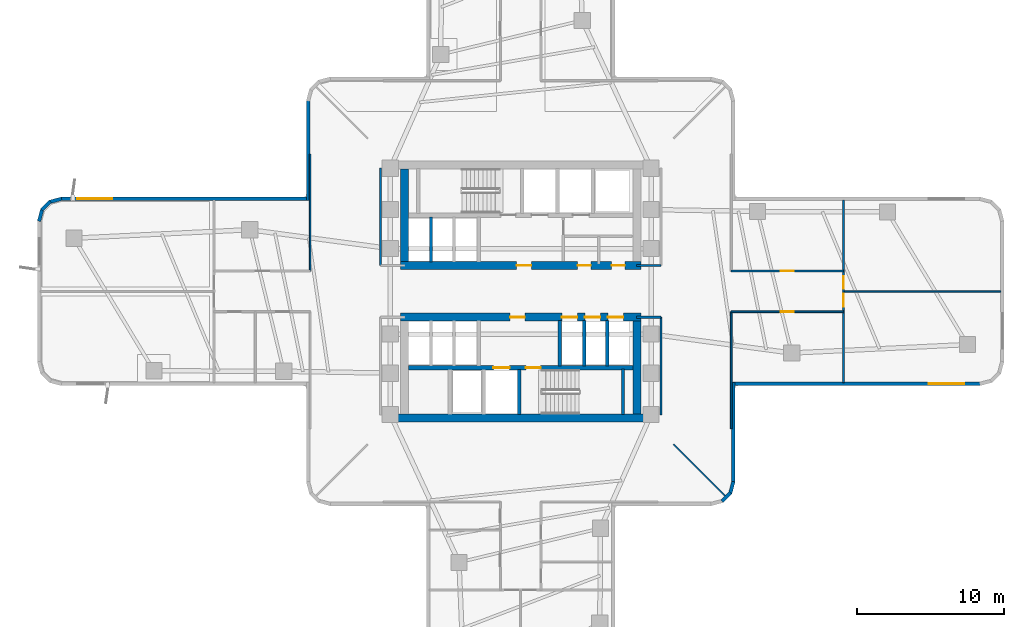
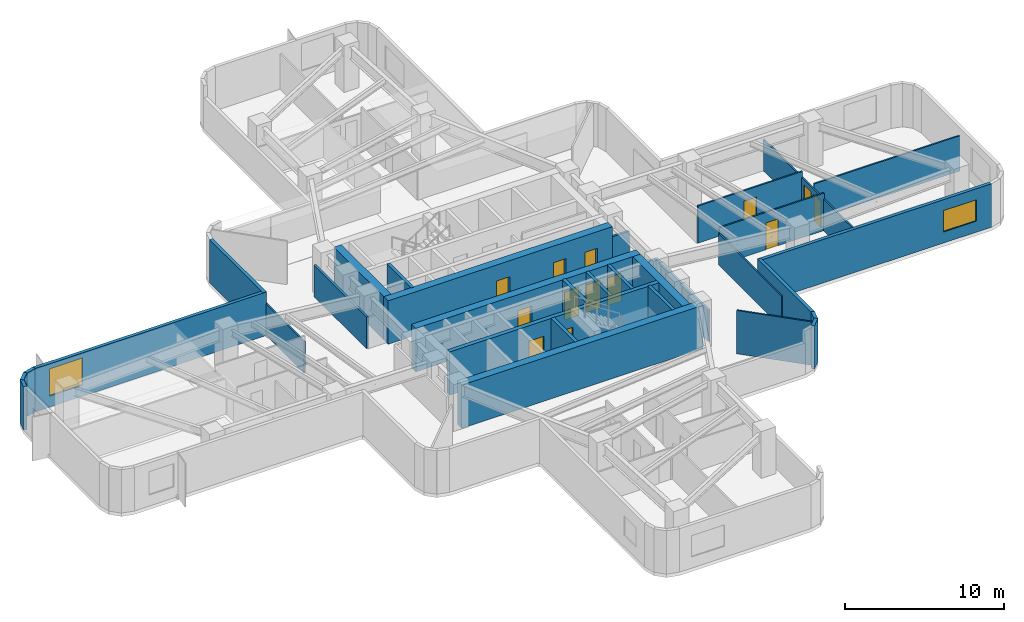
# One storey, part 4 of 9: 32 walls, 13 doors, 2 windows, 15 openings.
"""IFC4 building model written with IfcOpenShell, lengths in metres."""

import ifcopenshell
import ifcopenshell.guid

model = None  # the IFC model being written
_history = None  # IfcOwnerHistory: only IFC2X3 demands one
_inside = {}  # id of a spatial element -> (the spatial element, [elements in it])
_under = {}  # id of a project, library or spatial element -> (it, [spatial elements below it])
_declared = {}  # id of a project -> (the project, [libraries it declares])
_typed = {}  # id of a type object -> (the type object, [elements of that type])
_made_of = {}  # id of a material, layer set ... -> (it, [elements and type objects made of it])


def new_model(schema):
    """Start an empty IFC model of exactly this schema.

    Asked for "IFC4X3", IfcOpenShell would pick the latest addendum, in which some entities
    have other attributes; the version numbers below select the first issue.
    IFC2X3 requires an IfcOwnerHistory on every rooted entity: one is made here for all.
    """
    global model, _history
    if schema == "IFC4X3":
        model = ifcopenshell.file(schema_version=(4, 3, 0, 0))
    else:
        model = ifcopenshell.file(schema=schema)
    _inside.clear()
    _under.clear()
    _declared.clear()
    _typed.clear()
    _made_of.clear()
    _history = None
    if model.schema == "IFC2X3":
        org = make("IfcOrganization", Name="unknown")
        user = make(
            "IfcPersonAndOrganization",
            ThePerson=make("IfcPerson", FamilyName="unknown"),
            TheOrganization=org,
        )
        app = make(
            "IfcApplication",
            ApplicationDeveloper=org,
            Version="unknown",
            ApplicationFullName="unknown",
            ApplicationIdentifier="unknown",
        )
        _history = make(
            "IfcOwnerHistory",
            OwningUser=user,
            OwningApplication=app,
            ChangeAction="ADDED",
            CreationDate=0,
        )
    return model


def make(cls, **values):
    """One entity of the class cls with the attributes given. An attribute that is None is left unset."""
    return model.create_entity(
        cls, **{name: value for name, value in values.items() if value is not None}
    )


def rooted(cls, **values):
    """An entity with a GlobalId (a new one), such as an element, a storey or a relation."""
    return make(cls, GlobalId=ifcopenshell.guid.new(), OwnerHistory=_history, **values)


def si_unit(unit_type, name, prefix=None):
    """IfcSIUnit, for example si_unit("LENGTHUNIT", "METRE", prefix="MILLI")."""
    return make("IfcSIUnit", UnitType=unit_type, Prefix=prefix, Name=name)


def assignment(units):
    """IfcUnitAssignment: the units of a project."""
    return None if units is None else make("IfcUnitAssignment", Units=units)


def point(xyz):
    """IfcCartesianPoint."""
    return None if xyz is None else make("IfcCartesianPoint", Coordinates=xyz)


def direction(xyz):
    """IfcDirection."""
    return None if xyz is None else make("IfcDirection", DirectionRatios=xyz)


def frame(location, z_axis=None, x_axis=None):
    """IfcAxis2Placement3D, a coordinate frame: its origin and axes. An axis left out is left unset."""
    return make(
        "IfcAxis2Placement3D",
        Location=point(location),
        Axis=direction(z_axis),
        RefDirection=direction(x_axis),
    )


def frame_2d(location, x_axis=None):
    """IfcAxis2Placement2D, a coordinate frame in the plane: its origin and x axis."""
    return make(
        "IfcAxis2Placement2D", Location=point(location), RefDirection=direction(x_axis)
    )


def origin():
    """The frame at (0, 0, 0) with its axes left unset."""
    return frame((0.0, 0.0, 0.0))


def place(relative_to, where):
    """IfcLocalPlacement: puts the frame where relative to a parent placement (None: the world)."""
    return make(
        "IfcLocalPlacement", PlacementRelTo=relative_to, RelativePlacement=where
    )


def context(
    kind, dimensions, precision=None, world=None, true_north=None, identifier=None
):
    """IfcGeometricRepresentationContext, for example the 3D "Model" context."""
    return make(
        "IfcGeometricRepresentationContext",
        ContextIdentifier=identifier,
        ContextType=kind,
        CoordinateSpaceDimension=dimensions,
        Precision=precision,
        WorldCoordinateSystem=world,
        TrueNorth=true_north,
    )


def subcontext(parent, identifier, kind, view, scale=None):
    """IfcGeometricRepresentationSubContext, for example "Body" below "Model"."""
    return make(
        "IfcGeometricRepresentationSubContext",
        ContextIdentifier=identifier,
        ContextType=kind,
        ParentContext=parent,
        TargetScale=scale,
        TargetView=view,
    )


def project(units=None, contexts=None):
    """IfcProject with its units and contexts."""
    return rooted(
        "IfcProject",
        Name="project",
        RepresentationContexts=contexts,
        UnitsInContext=assignment(units),
    )


def spatial(cls, under=None, at=None, **own):
    """A site, building, storey or space (cls), placed at a placement, below another one or the project."""
    s = rooted(cls, ObjectPlacement=at, **own)
    if under is not None:
        _under.setdefault(under.id(), (under, []))[1].append(s)
    return s


def profile(cls, at=None, kind="AREA", **sizes):
    """A parametric profile (cls). Its sizes go by their IFC names, for example OverallWidth=200.0."""
    return make(cls, ProfileType=kind, Position=at, **sizes)


def rectangle(**sizes):
    """IfcRectangleProfileDef."""
    return profile("IfcRectangleProfileDef", **sizes)


def extrude(swept, where, along, depth):
    """IfcExtrudedAreaSolid: the profile swept, set in the frame where, extruded along a direction by depth."""
    return make(
        "IfcExtrudedAreaSolid",
        SweptArea=swept,
        Position=where,
        ExtrudedDirection=direction(along),
        Depth=depth,
    )


def shape(context_of_items, identifier, shape_type, items):
    """IfcShapeRepresentation: the items that make up one representation, for example the "Body"."""
    return make(
        "IfcShapeRepresentation",
        ContextOfItems=context_of_items,
        RepresentationIdentifier=identifier,
        RepresentationType=shape_type,
        Items=items,
    )


def material(Name=None, Category=None):
    """IfcMaterial."""
    return make("IfcMaterial", Name=Name, Category=Category)


def layer(
    of_material, thickness, ventilated=None, Name=None, Category=None, Priority=None
):
    """IfcMaterialLayer: one layer of a wall or slab, of a material (None: an air gap)."""
    return make(
        "IfcMaterialLayer",
        Material=of_material,
        LayerThickness=thickness,
        IsVentilated=ventilated,
        Name=Name,
        Category=Category,
        Priority=Priority,
    )


def layer_set(layers, Name=None):
    """IfcMaterialLayerSet."""
    return make("IfcMaterialLayerSet", MaterialLayers=layers, LayerSetName=Name)


def made_of(thing, what):
    """Note that an element or type object is made of a material, layer set ...; save() writes the relation."""
    if what is not None:
        _made_of.setdefault(what.id(), (what, []))[1].append(thing)
    return thing


def type_object(cls, material=None, **own):
    """A type object (cls), such as IfcWallType, which elements share."""
    return made_of(rooted(cls, **own), material)


def element(
    cls,
    number,
    at=None,
    inside=None,
    cuts=None,
    type_object=None,
    material=None,
    context=None,
    identifier="Body",
    shape_type=None,
    held_by="IfcProductDefinitionShape",
    body=None,
    shapes=None,
    **own,
):
    """One element of the class cls, such as IfcWall. Its Tag is "e" and its number.

    at: its placement. inside: the storey or other place that contains it. cuts: it is an
    opening in that element (IfcRelVoidsElement). A single representation is given by context,
    identifier, shape_type and body (its items); several are given by shapes. held_by: the class
    of the entity that holds the representations. save() writes the other relations.
    """
    e = rooted(cls, Tag="e%d" % number, ObjectPlacement=at, **own)
    if body is not None:
        shapes = [shape(context, identifier, shape_type, body)]
    if shapes is not None:
        e.Representation = make(held_by, Representations=shapes)
    if inside is not None:
        _inside.setdefault(inside.id(), (inside, []))[1].append(e)
    if cuts is not None:
        rooted(
            "IfcRelVoidsElement", RelatingBuildingElement=cuts, RelatedOpeningElement=e
        )
    if type_object is not None:
        _typed.setdefault(type_object.id(), (type_object, []))[1].append(e)
    return made_of(e, material)


def fill(opening, filler):
    """IfcRelFillsElement: the door or window that sits in an opening."""
    return rooted(
        "IfcRelFillsElement",
        RelatingOpeningElement=opening,
        RelatedBuildingElement=filler,
    )


def aggregate(whole, parts):
    """IfcRelAggregates: a whole, such as a stair, and the parts it consists of."""
    return rooted("IfcRelAggregates", RelatingObject=whole, RelatedObjects=parts)


def save(model, path):
    """Write the relations noted so far, then the file.

    IfcRelAggregates (storeys below a building ...), IfcRelContainedInSpatialStructure (elements
    in a storey), IfcRelDefinesByType, IfcRelAssociatesMaterial and IfcRelDeclares: one each for
    every whole, place, type object, material and project.
    """
    for whole, parts in _under.values():
        aggregate(whole, parts)
    for where, things in _inside.values():
        rooted(
            "IfcRelContainedInSpatialStructure",
            RelatedElements=things,
            RelatingStructure=where,
        )
    for kind, things in _typed.values():
        rooted("IfcRelDefinesByType", RelatedObjects=things, RelatingType=kind)
    for what, things in _made_of.values():
        rooted("IfcRelAssociatesMaterial", RelatedObjects=things, RelatingMaterial=what)
    for by, libraries in _declared.values():
        rooted("IfcRelDeclares", RelatingContext=by, RelatedDefinitions=libraries)
    model.write(path)


model = new_model("IFC4")

# Units and contexts
model_context = context("Model", 3, precision=1e-05, world=origin(), true_north=direction((0.0, 1.0)))
body_context = subcontext(model_context, "Body", "Model", "MODEL_VIEW")
ifc_project = project(units=[si_unit("LENGTHUNIT", "METRE"), si_unit("AREAUNIT", "SQUARE_METRE"), si_unit("VOLUMEUNIT", "CUBIC_METRE"), si_unit("PLANEANGLEUNIT", "RADIAN"), si_unit("MASSUNIT", "GRAM", prefix="KILO")], contexts=[model_context])

# Site, building, storey
site_placement = place(None, origin())
site = spatial("IfcSite", under=ifc_project, at=site_placement, CompositionType="ELEMENT")
building_placement = place(site_placement, origin())
building = spatial("IfcBuilding", under=site, at=building_placement, Name="Solmarez Civic Tower", CompositionType="ELEMENT")
storey_placement = place(building_placement, frame((0.0, 0.0, 28.080078125)))
storey = spatial("IfcBuildingStorey", under=building, at=storey_placement, Name="L06", CompositionType="ELEMENT", Elevation=28.080078125)

# Wall, openings, doors
ifc_material_1 = material(Name="Concrete C60/75", Category="concrete")
ifc_layer_1 = layer(ifc_material_1, 0.550048828125)
ifc_layer_set_1 = layer_set([ifc_layer_1], Name="Concrete C60/75")
wall_type_1 = type_object("IfcWallType", Name="WALL-CORE-550", PredefinedType="SHEAR", material=ifc_layer_set_1)
wall_1_placement = place(storey_placement, frame((8.169921875, 1.75, 0.0), z_axis=(0.0, 0.0, 1.0), x_axis=(-1.0, 0.0, 0.0)))
wall_1 = element("IfcWall", 1, at=wall_1_placement, inside=storey, type_object=wall_type_1, Name="L06 Split-Core Structural Wall NCW-S-L06", PredefinedType="SHEAR", context=body_context, shape_type="SweptSolid", body=[
    extrude(rectangle(XDim=16.33984375, YDim=0.550048828125, at=frame_2d((8.169921875, 0.0))), origin(), (0.0, 0.0, 1.0), 3.33984375),
])
opening_1_placement = place(wall_1_placement, frame((7.449951171875, 0.0, 0.0)))
opening_1 = element("IfcOpeningElement", 2, at=opening_1_placement, cuts=wall_1, Name="Opening D-04", PredefinedType="OPENING", context=body_context, shape_type="SweptSolid", body=[
    extrude(rectangle(XDim=1.0, YDim=2.10009765625, at=frame_2d((0.5, 1.050048828125))), frame((0.0, 0.284912109375, 0.0), z_axis=(0.0, -1.0, 0.0), x_axis=(1.0, 0.0, 0.0)), (0.0, 0.0, 1.0), 0.570068359375),
])
opening_2_placement = place(wall_1_placement, frame((3.39990234375, 0.0, 0.0)))
opening_2 = element("IfcOpeningElement", 3, at=opening_2_placement, cuts=wall_1, Name="Opening D-09", PredefinedType="OPENING", context=body_context, shape_type="SweptSolid", body=[
    extrude(rectangle(XDim=0.89990234375, YDim=2.06005859375, at=frame_2d((0.449951171875, 1.030029296875))), frame((0.0, 0.284912109375, 0.0), z_axis=(0.0, -1.0, 0.0), x_axis=(1.0, 0.0, 0.0)), (0.0, 0.0, 1.0), 0.570068359375),
])
opening_3_placement = place(wall_1_placement, frame((1.10009765625, 0.0, 0.0)))
opening_3 = element("IfcOpeningElement", 4, at=opening_3_placement, cuts=wall_1, Name="Opening D-09", PredefinedType="OPENING", context=body_context, shape_type="SweptSolid", body=[
    extrude(rectangle(XDim=0.89990234375, YDim=2.06005859375, at=frame_2d((0.449951171875, 1.030029296875))), frame((0.0, 0.284912109375, 0.0), z_axis=(0.0, -1.0, 0.0), x_axis=(1.0, 0.0, 0.0)), (0.0, 0.0, 1.0), 0.570068359375),
])
ifc_material_2 = material(Name="Steel-Faced Acoustic Fire Door", Category="steel")
door_type_1 = type_object("IfcDoorType", Name="DOOR-FD60-1000", OperationType="NOTDEFINED", PredefinedType="DOOR", material=ifc_material_2)
door_1_placement = place(opening_1_placement, origin())
door_1 = element("IfcDoor", 5, at=door_1_placement, inside=storey, type_object=door_type_1, Name="L06 North Firefighting Lobby Door", OperationType="SINGLE_SWING_LEFT", OverallHeight=2.10009765625, OverallWidth=1.0, PredefinedType="DOOR", context=body_context, shape_type="SweptSolid", body=[
    extrude(rectangle(XDim=1.0, YDim=2.10009765625, at=frame_2d((0.5, 1.050048828125))), frame((0.0, 0.02490234375, 0.0), z_axis=(0.0, -1.0, 0.0), x_axis=(1.0, 0.0, 0.0)), (0.0, 0.0, 1.0), 0.050048828125),
])
fill(opening_1, door_1)
ifc_material_3 = material(Name="Fire-Rated Service Core Door", Category="wood")
door_type_2 = type_object("IfcDoorType", Name="DOOR-FD60-900", OperationType="NOTDEFINED", PredefinedType="DOOR", material=ifc_material_3)
door_2_placement = place(opening_2_placement, origin())
door_2 = element("IfcDoor", 6, at=door_2_placement, inside=storey, type_object=door_type_2, Name="L06 Core WC Door", OperationType="SINGLE_SWING_LEFT", OverallHeight=2.06005859375, OverallWidth=0.89990234375, PredefinedType="DOOR", context=body_context, shape_type="SweptSolid", body=[
    extrude(rectangle(XDim=0.89990234375, YDim=2.06005859375, at=frame_2d((0.449951171875, 1.030029296875))), frame((0.0, 0.02490234375, 0.0), z_axis=(0.0, -1.0, 0.0), x_axis=(1.0, 0.0, 0.0)), (0.0, 0.0, 1.0), 0.050048828125),
])
fill(opening_2, door_2)
door_3_placement = place(opening_3_placement, origin())
door_3 = element("IfcDoor", 7, at=door_3_placement, inside=storey, type_object=door_type_2, Name="L06 Core CL Door", OperationType="SINGLE_SWING_RIGHT", OverallHeight=2.06005859375, OverallWidth=0.89990234375, PredefinedType="DOOR", context=body_context, shape_type="SweptSolid", body=[
    extrude(rectangle(XDim=0.89990234375, YDim=2.06005859375, at=frame_2d((0.449951171875, 1.030029296875))), frame((0.0, 0.02490234375, 0.0), z_axis=(0.0, -1.0, 0.0), x_axis=(1.0, 0.0, 0.0)), (0.0, 0.0, 1.0), 0.050048828125),
])
fill(opening_3, door_3)

# Walls
wall_2_placement = place(storey_placement, frame((-7.89501953125, 2.02490234375, 0.0), z_axis=(0.0, 0.0, 1.0), x_axis=(0.0, 1.0, 0.0)))
element("IfcWall", 8, at=wall_2_placement, inside=storey, type_object=wall_type_1, Name="L06 Split-Core Structural Wall NCW-W-L06", PredefinedType="SHEAR", context=body_context, shape_type="SweptSolid", body=[
    extrude(rectangle(XDim=6.28515625, YDim=0.550048828125, at=frame_2d((3.142578125, 0.0))), origin(), (0.0, 0.0, 1.0), 3.33984375),
])
wall_3_placement = place(storey_placement, frame((8.780029296875, -8.5849609375, 0.0), z_axis=(0.0, 0.0, 1.0), x_axis=(-1.0, 0.0, 0.0)))
element("IfcWall", 9, at=wall_3_placement, inside=storey, type_object=wall_type_1, Name="L06 Split-Core Structural Wall SCW-S-L06", PredefinedType="SHEAR", context=body_context, shape_type="SweptSolid", body=[
    extrude(rectangle(XDim=17.56005859375, YDim=0.550048828125, at=frame_2d((8.780029296875, 0.0))), origin(), (0.0, 0.0, 1.0), 3.33984375),
])

# Wall, openings, doors
wall_4_placement = place(storey_placement, frame((-8.169921875, -1.75, 0.0), z_axis=(0.0, 0.0, 1.0), x_axis=(1.0, 0.0, 0.0)))
wall_4 = element("IfcWall", 10, at=wall_4_placement, inside=storey, type_object=wall_type_1, Name="L06 Split-Core Structural Wall SCW-N-L06", PredefinedType="SHEAR", context=body_context, shape_type="SweptSolid", body=[
    extrude(rectangle(XDim=16.33984375, YDim=0.550048828125, at=frame_2d((8.169921875, 0.0))), origin(), (0.0, 0.0, 1.0), 3.33984375),
])
opening_4_placement = place(wall_4_placement, frame((7.449951171875, 0.0, 0.0)))
opening_4 = element("IfcOpeningElement", 11, at=opening_4_placement, cuts=wall_4, Name="Opening D-04", PredefinedType="OPENING", context=body_context, shape_type="SweptSolid", body=[
    extrude(rectangle(XDim=1.0, YDim=2.10009765625, at=frame_2d((0.5, 1.050048828125))), frame((0.0, 0.284912109375, 0.0), z_axis=(0.0, -1.0, 0.0), x_axis=(1.0, 0.0, 0.0)), (0.0, 0.0, 1.0), 0.570068359375),
])
opening_5_placement = place(wall_4_placement, frame((10.965087890625, 0.0, 0.0)))
opening_5 = element("IfcOpeningElement", 12, at=opening_5_placement, cuts=wall_4, Name="Opening LD-01", PredefinedType="OPENING", context=body_context, shape_type="SweptSolid", body=[
    extrude(rectangle(XDim=1.050048828125, YDim=2.14990234375, at=frame_2d((0.52490234375, 1.074951171875))), frame((0.0, 0.284912109375, 0.0), z_axis=(0.0, -1.0, 0.0), x_axis=(1.0, 0.0, 0.0)), (0.0, 0.0, 1.0), 0.570068359375),
])
opening_6_placement = place(wall_4_placement, frame((12.52490234375, 0.0, 0.0)))
opening_6 = element("IfcOpeningElement", 13, at=opening_6_placement, cuts=wall_4, Name="Opening LD-01", PredefinedType="OPENING", context=body_context, shape_type="SweptSolid", body=[
    extrude(rectangle(XDim=1.050048828125, YDim=2.14990234375, at=frame_2d((0.52490234375, 1.074951171875))), frame((0.0, 0.284912109375, 0.0), z_axis=(0.0, -1.0, 0.0), x_axis=(1.0, 0.0, 0.0)), (0.0, 0.0, 1.0), 0.570068359375),
])
opening_7_placement = place(wall_4_placement, frame((14.0849609375, 0.0, 0.0)))
opening_7 = element("IfcOpeningElement", 14, at=opening_7_placement, cuts=wall_4, Name="Opening LD-01", PredefinedType="OPENING", context=body_context, shape_type="SweptSolid", body=[
    extrude(rectangle(XDim=1.050048828125, YDim=2.14990234375, at=frame_2d((0.52490234375, 1.074951171875))), frame((0.0, 0.284912109375, 0.0), z_axis=(0.0, -1.0, 0.0), x_axis=(1.0, 0.0, 0.0)), (0.0, 0.0, 1.0), 0.570068359375),
])
door_4_placement = place(opening_4_placement, origin())
door_4 = element("IfcDoor", 15, at=door_4_placement, inside=storey, type_object=door_type_1, Name="L06 South Firefighting Lobby Door", OperationType="SINGLE_SWING_RIGHT", OverallHeight=2.10009765625, OverallWidth=1.0, PredefinedType="DOOR", context=body_context, shape_type="SweptSolid", body=[
    extrude(rectangle(XDim=1.0, YDim=2.10009765625, at=frame_2d((0.5, 1.050048828125))), frame((0.0, 0.02490234375, 0.0), z_axis=(0.0, -1.0, 0.0), x_axis=(1.0, 0.0, 0.0)), (0.0, 0.0, 1.0), 0.050048828125),
])
fill(opening_4, door_4)
ifc_material_4 = material(Name="Bronze Passenger Lift Landing Sliding Door", Category="aluminium")
door_type_3 = type_object("IfcDoorType", Name="DOOR-LD-PAX-1050", OperationType="DOUBLE_DOOR_SLIDING", PredefinedType="DOOR", material=ifc_material_4)
door_5_placement = place(opening_5_placement, origin())
door_5 = element("IfcDoor", 16, at=door_5_placement, inside=storey, type_object=door_type_3, Name="L06 Low-Rise Lift Landing Door PL-L1", OperationType="DOUBLE_DOOR_SLIDING", OverallHeight=2.14990234375, OverallWidth=1.050048828125, PredefinedType="DOOR", context=body_context, shape_type="SweptSolid", body=[
    extrude(rectangle(XDim=1.050048828125, YDim=2.14990234375, at=frame_2d((0.52490234375, 1.074951171875))), frame((0.0, 0.02490234375, 0.0), z_axis=(0.0, -1.0, 0.0), x_axis=(1.0, 0.0, 0.0)), (0.0, 0.0, 1.0), 0.050048828125),
])
fill(opening_5, door_5)
door_6_placement = place(opening_6_placement, origin())
door_6 = element("IfcDoor", 17, at=door_6_placement, inside=storey, type_object=door_type_3, Name="L06 Low-Rise Lift Landing Door PL-L2", OperationType="DOUBLE_DOOR_SLIDING", OverallHeight=2.14990234375, OverallWidth=1.050048828125, PredefinedType="DOOR", context=body_context, shape_type="SweptSolid", body=[
    extrude(rectangle(XDim=1.050048828125, YDim=2.14990234375, at=frame_2d((0.52490234375, 1.074951171875))), frame((0.0, 0.02490234375, 0.0), z_axis=(0.0, -1.0, 0.0), x_axis=(1.0, 0.0, 0.0)), (0.0, 0.0, 1.0), 0.050048828125),
])
fill(opening_6, door_6)
door_7_placement = place(opening_7_placement, origin())
door_7 = element("IfcDoor", 18, at=door_7_placement, inside=storey, type_object=door_type_3, Name="L06 Low-Rise Lift Landing Door PL-L3", OperationType="DOUBLE_DOOR_SLIDING", OverallHeight=2.14990234375, OverallWidth=1.050048828125, PredefinedType="DOOR", context=body_context, shape_type="SweptSolid", body=[
    extrude(rectangle(XDim=1.050048828125, YDim=2.14990234375, at=frame_2d((0.52490234375, 1.074951171875))), frame((0.0, 0.02490234375, 0.0), z_axis=(0.0, -1.0, 0.0), x_axis=(1.0, 0.0, 0.0)), (0.0, 0.0, 1.0), 0.050048828125),
])
fill(opening_7, door_7)

# Walls
wall_5_placement = place(storey_placement, frame((7.89501953125, -2.02490234375, 0.0), z_axis=(0.0, 0.0, 1.0), x_axis=(0.0, -1.0, 0.0)))
element("IfcWall", 19, at=wall_5_placement, inside=storey, type_object=wall_type_1, Name="L06 Split-Core Structural Wall SCW-E-L06", PredefinedType="SHEAR", context=body_context, shape_type="SweptSolid", body=[
    extrude(rectangle(XDim=6.28515625, YDim=0.550048828125, at=frame_2d((3.142578125, 0.0))), origin(), (0.0, 0.0, 1.0), 3.33984375),
])
ifc_material_5 = material(Name="Precast concrete C40/50", Category="concrete")
ifc_layer_2 = layer(ifc_material_5, 0.239990234375)
ifc_layer_set_2 = layer_set([ifc_layer_2], Name="Precast concrete C40/50")
wall_type_2 = type_object("IfcWallType", Name="WALL-EXT-240", PredefinedType="SOLIDWALL", material=ifc_layer_set_2)
wall_6_placement = place(storey_placement, frame((-32.68603515625, 4.760009765625, 0.0), z_axis=(0.0, 0.0, 1.0), x_axis=(0.257937227116, 0.966161677396, 0.0)))
element("IfcWall", 20, at=wall_6_placement, inside=storey, type_object=wall_type_2, Name="L06 Exterior Precast Wall 7", PredefinedType="SOLIDWALL", context=body_context, shape_type="SweptSolid", body=[
    extrude(rectangle(XDim=0.830078125, YDim=0.239990234375, at=frame_2d((0.4150390625, 0.0))), origin(), (0.0, 0.0, 1.0), 3.33984375),
])
wall_7_placement = place(storey_placement, frame((-32.49609375, 5.52001953125, 0.0), z_axis=(0.0, 0.0, 1.0), x_axis=(0.707256607812, 0.706956922808, 0.0)))
element("IfcWall", 21, at=wall_7_placement, inside=storey, type_object=wall_type_2, Name="L06 Exterior Precast Wall 8", PredefinedType="SOLIDWALL", context=body_context, shape_type="SweptSolid", body=[
    extrude(rectangle(XDim=0.814697265625, YDim=0.239990234375, at=frame_2d((0.4072265625, 0.0))), origin(), (0.0, 0.0, 1.0), 3.33984375),
])
wall_8_placement = place(storey_placement, frame((-31.9619140625, 6.072021484375, 0.0), z_axis=(0.0, 0.0, 1.0), x_axis=(0.966234939601, 0.25766265056, 0.0)))
element("IfcWall", 22, at=wall_8_placement, inside=storey, type_object=wall_type_2, Name="L06 Exterior Precast Wall 9", PredefinedType="SOLIDWALL", context=body_context, shape_type="SweptSolid", body=[
    extrude(rectangle(XDim=0.830078125, YDim=0.239990234375, at=frame_2d((0.4150390625, 0.0))), origin(), (0.0, 0.0, 1.0), 3.33984375),
])

# Wall, opening, window
wall_9_placement = place(storey_placement, frame((-31.208984375, 6.280029296875, 0.0), z_axis=(0.0, 0.0, 1.0), x_axis=(1.0, 0.0, 0.0)))
wall_9 = element("IfcWall", 23, at=wall_9_placement, inside=storey, type_object=wall_type_2, Name="L06 Exterior Precast Wall 10", PredefinedType="SOLIDWALL", context=body_context, shape_type="SweptSolid", body=[
    extrude(rectangle(XDim=16.875, YDim=0.239990234375, at=frame_2d((8.4375, 0.0))), origin(), (0.0, 0.0, 1.0), 3.33984375),
])
opening_8_placement = place(wall_9_placement, frame((1.10009765625, 0.0, 0.85009765625)))
opening_8 = element("IfcOpeningElement", 24, at=opening_8_placement, cuts=wall_9, Name="Opening W-02", PredefinedType="OPENING", context=body_context, shape_type="SweptSolid", body=[
    extrude(rectangle(XDim=2.39990234375, YDim=2.10009765625, at=frame_2d((1.199951171875, 1.050048828125))), frame((0.0, 0.1298828125, 0.0), z_axis=(0.0, -1.0, 0.0), x_axis=(1.0, 0.0, 0.0)), (0.0, 0.0, 1.0), 0.260009765625),
])
ifc_material_6 = material(Name="Solar Control Bronze-Tinted Insulating Glass", Category="glass")
window_type_1 = type_object("IfcWindowType", Name="WIN-2400X2100", PartitioningType="SINGLE_PANEL", PredefinedType="WINDOW", material=ifc_material_6)
window_1_placement = place(opening_8_placement, origin())
window_1 = element("IfcWindow", 25, at=window_1_placement, inside=storey, type_object=window_type_1, Name="L06 Exterior Facade Window 10", OverallHeight=2.10009765625, OverallWidth=2.39990234375, PartitioningType="SINGLE_PANEL", PredefinedType="WINDOW", context=body_context, shape_type="SweptSolid", body=[
    extrude(rectangle(XDim=2.39990234375, YDim=2.10009765625, at=frame_2d((1.199951171875, 1.050048828125))), frame((0.0, 0.030029296875, 0.0), z_axis=(0.0, -1.0, 0.0), x_axis=(1.0, 0.0, 0.0)), (0.0, 0.0, 1.0), 0.06005859375),
])
fill(opening_8, window_1)

# Wall
wall_10_placement = place(storey_placement, frame((-14.429931640625, 6.18408203125, 0.0), z_axis=(0.0, 0.0, 1.0), x_axis=(0.0, 1.0, 0.0)))
element("IfcWall", 26, at=wall_10_placement, inside=storey, type_object=wall_type_2, Name="L06 Exterior Precast Wall 13", PredefinedType="SOLIDWALL", context=body_context, shape_type="SweptSolid", body=[
    extrude(rectangle(XDim=6.77490234375, YDim=0.239990234375, at=frame_2d((3.387451171875, 0.0))), origin(), (0.0, 0.0, 1.0), 3.33984375),
])

# Wall, opening, window
wall_11_placement = place(storey_placement, frame((31.208984375, -6.280029296875, 0.0), z_axis=(0.0, 0.0, 1.0), x_axis=(-1.0, 0.0, 0.0)))
wall_11 = element("IfcWall", 27, at=wall_11_placement, inside=storey, type_object=wall_type_2, Name="L06 Exterior Precast Wall 46", PredefinedType="SOLIDWALL", context=body_context, shape_type="SweptSolid", body=[
    extrude(rectangle(XDim=16.875, YDim=0.239990234375, at=frame_2d((8.4375, 0.0))), origin(), (0.0, 0.0, 1.0), 3.33984375),
])
opening_9_placement = place(wall_11_placement, frame((1.10009765625, 0.0, 0.85009765625)))
opening_9 = element("IfcOpeningElement", 28, at=opening_9_placement, cuts=wall_11, Name="Opening W-10", PredefinedType="OPENING", context=body_context, shape_type="SweptSolid", body=[
    extrude(rectangle(XDim=2.39990234375, YDim=1.64990234375, at=frame_2d((1.199951171875, 0.824951171875))), frame((0.0, 0.1298828125, 0.0), z_axis=(0.0, -1.0, 0.0), x_axis=(1.0, 0.0, 0.0)), (0.0, 0.0, 1.0), 0.260009765625),
])
window_type_2 = type_object("IfcWindowType", Name="WIN-2400X1650", PartitioningType="SINGLE_PANEL", PredefinedType="WINDOW", material=ifc_material_6)
window_2_placement = place(opening_9_placement, origin())
window_2 = element("IfcWindow", 29, at=window_2_placement, inside=storey, type_object=window_type_2, Name="L06 Exterior Facade Window 46", OverallHeight=1.64990234375, OverallWidth=2.39990234375, PartitioningType="SINGLE_PANEL", PredefinedType="WINDOW", context=body_context, shape_type="SweptSolid", body=[
    extrude(rectangle(XDim=2.39990234375, YDim=1.64990234375, at=frame_2d((1.199951171875, 0.824951171875))), frame((0.0, 0.030029296875, 0.0), z_axis=(0.0, -1.0, 0.0), x_axis=(1.0, 0.0, 0.0)), (0.0, 0.0, 1.0), 0.06005859375),
])
fill(opening_9, window_2)

# Walls
wall_12_placement = place(storey_placement, frame((14.429931640625, -6.18408203125, 0.0), z_axis=(0.0, 0.0, 1.0), x_axis=(0.0, -1.0, 0.0)))
element("IfcWall", 30, at=wall_12_placement, inside=storey, type_object=wall_type_2, Name="L06 Exterior Precast Wall 49", PredefinedType="SOLIDWALL", context=body_context, shape_type="SweptSolid", body=[
    extrude(rectangle(XDim=6.77490234375, YDim=0.239990234375, at=frame_2d((3.387451171875, 0.0))), origin(), (0.0, 0.0, 1.0), 3.33984375),
])
wall_13_placement = place(storey_placement, frame((14.43603515625, -12.909912109375, 0.0), z_axis=(0.0, 0.0, 1.0), x_axis=(-0.257937227116, -0.966161677396, 0.0)))
element("IfcWall", 31, at=wall_13_placement, inside=storey, type_object=wall_type_2, Name="L06 Exterior Precast Wall 50", PredefinedType="SOLIDWALL", context=body_context, shape_type="SweptSolid", body=[
    extrude(rectangle(XDim=0.830078125, YDim=0.239990234375, at=frame_2d((0.4150390625, 0.0))), origin(), (0.0, 0.0, 1.0), 3.33984375),
])
wall_14_placement = place(storey_placement, frame((14.24609375, -13.669921875, 0.0), z_axis=(0.0, 0.0, 1.0), x_axis=(-0.707106781187, -0.707106781187, 0.0)))
element("IfcWall", 32, at=wall_14_placement, inside=storey, type_object=wall_type_2, Name="L06 Exterior Precast Wall 51", PredefinedType="SOLIDWALL", context=body_context, shape_type="SweptSolid", body=[
    extrude(rectangle(XDim=0.81494140625, YDim=0.239990234375, at=frame_2d((0.407470703125, 0.0))), origin(), (0.0, 0.0, 1.0), 3.33984375),
])
ifc_material_7 = material(Name="Gypsum Board Acoustic Steel-Stud Partition", Category="steel")
ifc_layer_3 = layer(ifc_material_7, 0.14990234375)
ifc_layer_set_3 = layer_set([ifc_layer_3], Name="Gypsum Board Acoustic Steel-Stud Partition")
wall_type_3 = type_object("IfcWallType", Name="WALL-INT-FIRE-150", PredefinedType="PARTITIONING", material=ifc_layer_set_3)
wall_15_placement = place(storey_placement, frame((-9.52001953125, 1.75, 0.0), z_axis=(0.0, 0.0, 1.0), x_axis=(0.0, 1.0, 0.0)))
element("IfcWall", 33, at=wall_15_placement, inside=storey, type_object=wall_type_3, Name="L06 Interior Partition CHW-L06-WN1", PredefinedType="PARTITIONING", context=body_context, shape_type="SweptSolid", body=[
    extrude(rectangle(XDim=6.6298828125, YDim=0.14990234375, at=frame_2d((3.31494140625, 0.0))), origin(), (0.0, 0.0, 1.0), 2.4208984375),
])
wall_16_placement = place(storey_placement, frame((7.85009765625, 1.75, 0.0), z_axis=(0.0, 0.0, 1.0), x_axis=(1.0, 0.0, 0.0)))
element("IfcWall", 34, at=wall_16_placement, inside=storey, type_object=wall_type_3, Name="L06 Interior Partition CHW-L06-EN3", PredefinedType="PARTITIONING", context=body_context, shape_type="SweptSolid", body=[
    extrude(rectangle(XDim=1.669921875, YDim=0.14990234375, at=frame_2d((0.8349609375, 0.0))), origin(), (0.0, 0.0, 1.0), 2.405029296875),
])
wall_17_placement = place(storey_placement, frame((9.52001953125, -8.3798828125, 0.0), z_axis=(0.0, 0.0, 1.0), x_axis=(0.0, 1.0, 0.0)))
element("IfcWall", 35, at=wall_17_placement, inside=storey, type_object=wall_type_3, Name="L06 Interior Partition CHW-L06-ES1", PredefinedType="PARTITIONING", context=body_context, shape_type="SweptSolid", body=[
    extrude(rectangle(XDim=6.6298828125, YDim=0.14990234375, at=frame_2d((3.31494140625, 0.0))), origin(), (0.0, 0.0, 1.0), 2.4208984375),
])
wall_18_placement = place(storey_placement, frame((7.85009765625, -1.75, 0.0), z_axis=(0.0, 0.0, 1.0), x_axis=(1.0, 0.0, 0.0)))
element("IfcWall", 36, at=wall_18_placement, inside=storey, type_object=wall_type_3, Name="L06 Interior Partition CHW-L06-ES3", PredefinedType="PARTITIONING", context=body_context, shape_type="SweptSolid", body=[
    extrude(rectangle(XDim=1.669921875, YDim=0.14990234375, at=frame_2d((0.8349609375, 0.0))), origin(), (0.0, 0.0, 1.0), 2.405029296875),
])
ifc_layer_4 = layer(ifc_material_7, 0.110107421875)
ifc_layer_set_4 = layer_set([ifc_layer_4], Name="Gypsum Board Acoustic Steel-Stud Partition")
wall_type_4 = type_object("IfcWallType", Name="WALL-INT-PART-110", PredefinedType="PARTITIONING", material=ifc_layer_set_4)
wall_19_placement = place(storey_placement, frame((10.3798828125, -10.3798828125, 0.0), z_axis=(0.0, 0.0, 1.0), x_axis=(0.707106781187, -0.707106781187, 0.0)))
element("IfcWall", 37, at=wall_19_placement, inside=storey, type_object=wall_type_4, Name="L06 Interior Partition PT-L06-QDIV-4", PredefinedType="PARTITIONING", context=body_context, shape_type="SweptSolid", body=[
    extrude(rectangle(XDim=4.975341796875, YDim=0.110107421875, at=frame_2d((2.48779296875, 0.0))), origin(), (0.0, 0.0, 1.0), 3.33984375),
])
wall_20_placement = place(storey_placement, frame((14.2900390625, -9.320068359375, 0.0), z_axis=(0.0, 0.0, 1.0), x_axis=(0.0, 1.0, 0.0)))
element("IfcWall", 38, at=wall_20_placement, inside=storey, type_object=wall_type_4, Name="L06 Interior Partition PT-L06-E-EFR", PredefinedType="PARTITIONING", context=body_context, shape_type="SweptSolid", body=[
    extrude(rectangle(XDim=7.949951171875, YDim=0.110107421875, at=frame_2d((3.97509765625, 0.0))), origin(), (0.0, 0.0, 1.0), 2.4208984375),
])

# Wall, opening, door
wall_21_placement = place(storey_placement, frame((21.909912109375, 1.3798828125, 0.0), z_axis=(0.0, 0.0, 1.0), x_axis=(-1.0, 0.0, 0.0)))
wall_21 = element("IfcWall", 39, at=wall_21_placement, inside=storey, type_object=wall_type_4, Name="L06 Interior Partition PT-L06-E-SL", PredefinedType="PARTITIONING", context=body_context, shape_type="SweptSolid", body=[
    extrude(rectangle(XDim=7.619873046875, YDim=0.110107421875, at=frame_2d((3.81005859375, 0.0))), origin(), (0.0, 0.0, 1.0), 2.868896484375),
])
opening_10_placement = place(wall_21_placement, frame((3.360107421875, 0.0, 0.0)))
opening_10 = element("IfcOpeningElement", 40, at=opening_10_placement, cuts=wall_21, Name="Opening D-08", PredefinedType="OPENING", context=body_context, shape_type="SweptSolid", body=[
    extrude(rectangle(XDim=0.89990234375, YDim=2.06005859375, at=frame_2d((0.449951171875, 1.030029296875))), frame((0.0, 0.06494140625, 0.0), z_axis=(0.0, -1.0, 0.0), x_axis=(1.0, 0.0, 0.0)), (0.0, 0.0, 1.0), 0.130126953125),
])
ifc_material_8 = material(Name="Solid-Core Timber Office Door", Category="wood")
door_type_4 = type_object("IfcDoorType", Name="DOOR-INT-900", OperationType="NOTDEFINED", PredefinedType="DOOR", material=ifc_material_8)
door_8_placement = place(opening_10_placement, origin())
door_8 = element("IfcDoor", 41, at=door_8_placement, inside=storey, type_object=door_type_4, Name="L06 Ministry Open Workspace East Door", OperationType="SINGLE_SWING_LEFT", OverallHeight=2.06005859375, OverallWidth=0.89990234375, PredefinedType="DOOR", context=body_context, shape_type="SweptSolid", body=[
    extrude(rectangle(XDim=0.89990234375, YDim=2.06005859375, at=frame_2d((0.449951171875, 1.030029296875))), frame((0.0, 0.02490234375, 0.0), z_axis=(0.0, -1.0, 0.0), x_axis=(1.0, 0.0, 0.0)), (0.0, 0.0, 1.0), 0.050048828125),
])
fill(opening_10, door_8)

wall_22_placement = place(storey_placement, frame((14.2900390625, -1.3798828125, 0.0), z_axis=(0.0, 0.0, 1.0), x_axis=(1.0, 0.0, 0.0)))
wall_22 = element("IfcWall", 42, at=wall_22_placement, inside=storey, type_object=wall_type_4, Name="L06 Interior Partition PT-L06-E-SR", PredefinedType="PARTITIONING", context=body_context, shape_type="SweptSolid", body=[
    extrude(rectangle(XDim=7.619873046875, YDim=0.110107421875, at=frame_2d((3.81005859375, 0.0))), origin(), (0.0, 0.0, 1.0), 2.868896484375),
])
opening_11_placement = place(wall_22_placement, frame((3.360107421875, 0.0, 0.0)))
opening_11 = element("IfcOpeningElement", 43, at=opening_11_placement, cuts=wall_22, Name="Opening D-08", PredefinedType="OPENING", context=body_context, shape_type="SweptSolid", body=[
    extrude(rectangle(XDim=0.89990234375, YDim=2.06005859375, at=frame_2d((0.449951171875, 1.030029296875))), frame((0.0, 0.06494140625, 0.0), z_axis=(0.0, -1.0, 0.0), x_axis=(1.0, 0.0, 0.0)), (0.0, 0.0, 1.0), 0.130126953125),
])
door_9_placement = place(opening_11_placement, origin())
door_9 = element("IfcDoor", 44, at=door_9_placement, inside=storey, type_object=door_type_4, Name="L06 Directorate Office East Door", OperationType="SINGLE_SWING_RIGHT", OverallHeight=2.06005859375, OverallWidth=0.89990234375, PredefinedType="DOOR", context=body_context, shape_type="SweptSolid", body=[
    extrude(rectangle(XDim=0.89990234375, YDim=2.06005859375, at=frame_2d((0.449951171875, 1.030029296875))), frame((0.0, 0.02490234375, 0.0), z_axis=(0.0, -1.0, 0.0), x_axis=(1.0, 0.0, 0.0)), (0.0, 0.0, 1.0), 0.050048828125),
])
fill(opening_11, door_9)

# Wall
wall_23_placement = place(storey_placement, frame((21.969970703125, 0.0, 0.0), z_axis=(0.0, 0.0, 1.0), x_axis=(1.0, 0.0, 0.0)))
element("IfcWall", 45, at=wall_23_placement, inside=storey, type_object=wall_type_4, Name="L06 Interior Partition PT-L06-E-TM", PredefinedType="PARTITIONING", context=body_context, shape_type="SweptSolid", body=[
    extrude(rectangle(XDim=10.625, YDim=0.110107421875, at=frame_2d((5.3125, 0.0))), origin(), (0.0, 0.0, 1.0), 2.719970703125),
])

# Wall, openings, doors
wall_24_placement = place(storey_placement, frame((21.909912109375, 6.195068359375, 0.0), z_axis=(0.0, 0.0, 1.0), x_axis=(0.0, -1.0, 0.0)))
wall_24 = element("IfcWall", 46, at=wall_24_placement, inside=storey, type_object=wall_type_4, Name="L06 Interior Partition PT-L06-E-END", PredefinedType="PARTITIONING", context=body_context, shape_type="SweptSolid", body=[
    extrude(rectangle(XDim=12.39013671875, YDim=0.110107421875, at=frame_2d((6.195068359375, 0.0))), origin(), (0.0, 0.0, 1.0), 2.4208984375),
])
opening_12_placement = place(wall_24_placement, frame((6.364990234375, 0.0, 0.0)))
opening_12 = element("IfcOpeningElement", 47, at=opening_12_placement, cuts=wall_24, Name="Opening D-14", PredefinedType="OPENING", context=body_context, shape_type="SweptSolid", body=[
    extrude(rectangle(XDim=0.860107421875, YDim=2.0400390625, at=frame_2d((0.43017578125, 1.02001953125))), frame((0.0, 0.06494140625, 0.0), z_axis=(0.0, -1.0, 0.0), x_axis=(1.0, 0.0, 0.0)), (0.0, 0.0, 1.0), 0.130126953125),
])
opening_13_placement = place(wall_24_placement, frame((5.1650390625, 0.0, 0.0)))
opening_13 = element("IfcOpeningElement", 48, at=opening_13_placement, cuts=wall_24, Name="Opening D-14", PredefinedType="OPENING", context=body_context, shape_type="SweptSolid", body=[
    extrude(rectangle(XDim=0.860107421875, YDim=2.0400390625, at=frame_2d((0.43017578125, 1.02001953125))), frame((0.0, 0.06494140625, 0.0), z_axis=(0.0, -1.0, 0.0), x_axis=(1.0, 0.0, 0.0)), (0.0, 0.0, 1.0), 0.130126953125),
])
ifc_material_9 = material(Name="Timber Storage and Pantry Door", Category="wood")
door_type_5 = type_object("IfcDoorType", Name="DOOR-INT-850", OperationType="NOTDEFINED", PredefinedType="DOOR", material=ifc_material_9)
door_10_placement = place(opening_12_placement, origin())
door_10 = element("IfcDoor", 49, at=door_10_placement, inside=storey, type_object=door_type_5, Name="L06 Staff Pantry Sixth East Door", OperationType="SINGLE_SWING_RIGHT", OverallHeight=2.0400390625, OverallWidth=0.860107421875, PredefinedType="DOOR", context=body_context, shape_type="SweptSolid", body=[
    extrude(rectangle(XDim=0.860107421875, YDim=2.0400390625, at=frame_2d((0.43017578125, 1.02001953125))), frame((0.0, 0.02490234375, 0.0), z_axis=(0.0, -1.0, 0.0), x_axis=(1.0, 0.0, 0.0)), (0.0, 0.0, 1.0), 0.050048828125),
])
fill(opening_12, door_10)
door_11_placement = place(opening_13_placement, origin())
door_11 = element("IfcDoor", 50, at=door_11_placement, inside=storey, type_object=door_type_5, Name="L06 Policy Boardroom Fifth East Door", OperationType="SINGLE_SWING_LEFT", OverallHeight=2.0400390625, OverallWidth=0.860107421875, PredefinedType="DOOR", context=body_context, shape_type="SweptSolid", body=[
    extrude(rectangle(XDim=0.860107421875, YDim=2.0400390625, at=frame_2d((0.43017578125, 1.02001953125))), frame((0.0, 0.02490234375, 0.0), z_axis=(0.0, -1.0, 0.0), x_axis=(1.0, 0.0, 0.0)), (0.0, 0.0, 1.0), 0.050048828125),
])
fill(opening_13, door_11)

# Wall
wall_25_placement = place(storey_placement, frame((-14.2900390625, 9.320068359375, 0.0), z_axis=(0.0, 0.0, 1.0), x_axis=(0.0, -1.0, 0.0)))
element("IfcWall", 51, at=wall_25_placement, inside=storey, type_object=wall_type_4, Name="L06 Interior Partition PT-L06-W-EFR", PredefinedType="PARTITIONING", context=body_context, shape_type="SweptSolid", body=[
    extrude(rectangle(XDim=7.949951171875, YDim=0.110107421875, at=frame_2d((3.97509765625, 0.0))), origin(), (0.0, 0.0, 1.0), 2.4208984375),
])

# Wall, openings, doors
ifc_material_10 = material(Name="Concrete C50/60", Category="concrete")
ifc_layer_5 = layer(ifc_material_10, 0.300048828125)
ifc_layer_set_5 = layer_set([ifc_layer_5], Name="Concrete C50/60")
wall_type_5 = type_object("IfcWallType", Name="WALL-STR-300", PredefinedType="SOLIDWALL", material=ifc_layer_set_5)
wall_26_placement = place(storey_placement, frame((-7.6201171875, -5.179931640625, 0.0), z_axis=(0.0, 0.0, 1.0), x_axis=(1.0, 0.0, 0.0)))
wall_26 = element("IfcWall", 52, at=wall_26_placement, inside=storey, type_object=wall_type_5, Name="L06 Split-Core Structural Wall SCW-M-L06", PredefinedType="SOLIDWALL", context=body_context, shape_type="SweptSolid", body=[
    extrude(rectangle(XDim=15.240234375, YDim=0.300048828125, at=frame_2d((7.6201171875, 0.0))), origin(), (0.0, 0.0, 1.0), 3.33984375),
])
opening_14_placement = place(wall_26_placement, frame((5.77001953125, 0.0, 0.0)))
opening_14 = element("IfcOpeningElement", 53, at=opening_14_placement, cuts=wall_26, Name="Opening LD-02", PredefinedType="OPENING", context=body_context, shape_type="SweptSolid", body=[
    extrude(rectangle(XDim=1.10009765625, YDim=2.14990234375, at=frame_2d((0.550048828125, 1.074951171875))), frame((0.0, 0.159912109375, 0.0), z_axis=(0.0, -1.0, 0.0), x_axis=(1.0, 0.0, 0.0)), (0.0, 0.0, 1.0), 0.320068359375),
])
opening_15_placement = place(wall_26_placement, frame((7.969970703125, 0.0, 0.0)))
opening_15 = element("IfcOpeningElement", 54, at=opening_15_placement, cuts=wall_26, Name="Opening D-05", PredefinedType="OPENING", context=body_context, shape_type="SweptSolid", body=[
    extrude(rectangle(XDim=1.0, YDim=2.10009765625, at=frame_2d((0.5, 1.050048828125))), frame((0.0, 0.159912109375, 0.0), z_axis=(0.0, -1.0, 0.0), x_axis=(1.0, 0.0, 0.0)), (0.0, 0.0, 1.0), 0.320068359375),
])
ifc_material_11 = material(Name="Fire-Rated Stairwell Exit Door", Category="wood")
door_type_6 = type_object("IfcDoorType", Name="DOOR-FD90-1000", OperationType="NOTDEFINED", PredefinedType="DOOR", material=ifc_material_11)
door_12_placement = place(opening_15_placement, origin())
door_12 = element("IfcDoor", 55, at=door_12_placement, inside=storey, type_object=door_type_6, Name="L06 South Exit Stair Door ST-2", OperationType="SINGLE_SWING_RIGHT", OverallHeight=2.10009765625, OverallWidth=1.0, PredefinedType="DOOR", context=body_context, shape_type="SweptSolid", body=[
    extrude(rectangle(XDim=1.0, YDim=2.10009765625, at=frame_2d((0.5, 1.050048828125))), frame((0.0, 0.02490234375, 0.0), z_axis=(0.0, -1.0, 0.0), x_axis=(1.0, 0.0, 0.0)), (0.0, 0.0, 1.0), 0.050048828125),
])
fill(opening_15, door_12)
ifc_material_12 = material(Name="Stainless Firefighting Lift Landing Sliding Door", Category="aluminium")
door_type_7 = type_object("IfcDoorType", Name="DOOR-LD-FF-1100", OperationType="DOUBLE_DOOR_SLIDING", PredefinedType="DOOR", material=ifc_material_12)
door_13_placement = place(opening_14_placement, origin())
door_13 = element("IfcDoor", 56, at=door_13_placement, inside=storey, type_object=door_type_7, Name="L06 Firefighting Lift Landing Door FFL-2", OperationType="DOUBLE_DOOR_SLIDING", OverallHeight=2.14990234375, OverallWidth=1.10009765625, PredefinedType="DOOR", context=body_context, shape_type="SweptSolid", body=[
    extrude(rectangle(XDim=1.10009765625, YDim=2.14990234375, at=frame_2d((0.550048828125, 1.074951171875))), frame((0.0, 0.02490234375, 0.0), z_axis=(0.0, -1.0, 0.0), x_axis=(1.0, 0.0, 0.0)), (0.0, 0.0, 1.0), 0.050048828125),
])
fill(opening_14, door_13)

# Walls
wall_27_placement = place(storey_placement, frame((6.949951171875, -8.340087890625, 0.0), z_axis=(0.0, 0.0, 1.0), x_axis=(0.0, 1.0, 0.0)))
element("IfcWall", 57, at=wall_27_placement, inside=storey, type_object=wall_type_5, Name="L06 Split-Core Structural Wall SHW-SE-L06", PredefinedType="SOLIDWALL", context=body_context, shape_type="SweptSolid", body=[
    extrude(rectangle(XDim=3.06005859375, YDim=0.219970703125, at=frame_2d((1.530029296875, 0.0))), origin(), (0.0, 0.0, 1.0), 3.33984375),
])
wall_28_placement = place(storey_placement, frame((-0.10009765625, -8.340087890625, 0.0), z_axis=(0.0, 0.0, 1.0), x_axis=(0.0, 1.0, 0.0)))
element("IfcWall", 58, at=wall_28_placement, inside=storey, type_object=wall_type_5, Name="L06 Split-Core Structural Wall SHW-S1-L06", PredefinedType="SOLIDWALL", context=body_context, shape_type="SweptSolid", body=[
    extrude(rectangle(XDim=3.0400390625, YDim=0.25, at=frame_2d((1.52001953125, 0.0))), origin(), (0.0, 0.0, 1.0), 3.33984375),
])
wall_29_placement = place(storey_placement, frame((2.64990234375, -5.050048828125, 0.0), z_axis=(0.0, 0.0, 1.0), x_axis=(0.0, 1.0, 0.0)))
element("IfcWall", 59, at=wall_29_placement, inside=storey, type_object=wall_type_5, Name="L06 Split-Core Structural Wall SHW-SL2-L06", PredefinedType="SOLIDWALL", context=body_context, shape_type="SweptSolid", body=[
    extrude(rectangle(XDim=3.070068359375, YDim=0.25, at=frame_2d((1.53515625, 0.0))), origin(), (0.0, 0.0, 1.0), 3.33984375),
])
for number, where, z_axis, x_axis, name in (
    (60, (-6.080078125, 1.97998046875, 0.0), (0.0, 0.0, 1.0), (0.0, 1.0, 0.0), "L06 Split-Core Structural Wall SHW-PLH-L06-1"),
    (61, (4.320068359375, -5.050048828125, 0.0), (0.0, 0.0, 1.0), (0.0, 1.0, 0.0), "L06 Split-Core Structural Wall SHW-PLL-L06-1"),
    (62, (5.8798828125, -5.050048828125, 0.0), (0.0, 0.0, 1.0), (0.0, 1.0, 0.0), "L06 Split-Core Structural Wall SHW-PLL-L06-2"),
):
    element("IfcWall", number, at=place(storey_placement, frame(where, z_axis=z_axis, x_axis=x_axis)), inside=storey, type_object=wall_type_5, Name=name, PredefinedType="SOLIDWALL", context=body_context, shape_type="SweptSolid", body=[
        extrude(rectangle(XDim=3.070068359375, YDim=0.219970703125, at=frame_2d((1.53515625, 0.0))), origin(), (0.0, 0.0, 1.0), 3.33984375),
    ])

save(model, "model.ifc")
